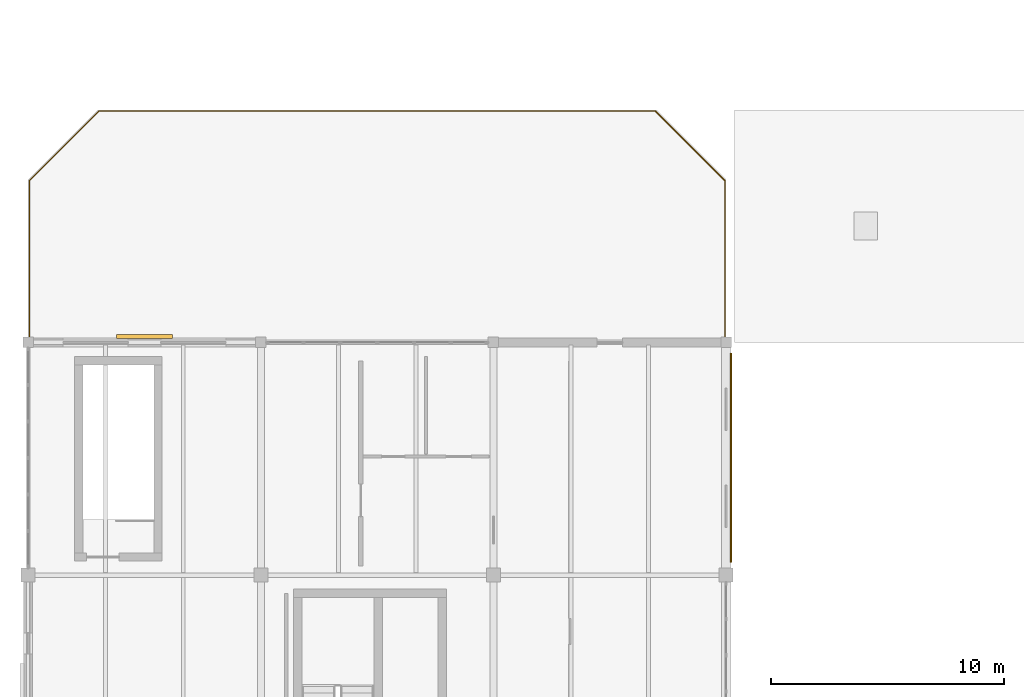
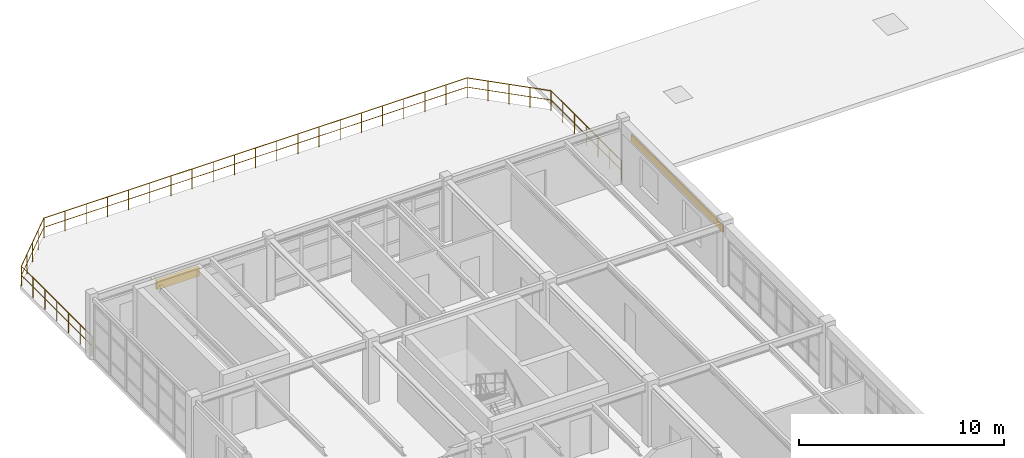
# One storey, part 23 of 23: 1 covering, 1 railing, 1 shading device.
"""IFC4 building model written with IfcOpenShell, lengths in metres."""

from ifc_helpers import new_model, si_unit, direction, frame, origin, origin_2d, place, context, subcontext, project, spatial, polyline, rectangle, circle, outline, extrude, material, layer, layer_set, type_object, element, save


model = new_model("IFC4")

# Units and contexts
model_context = context("Model", 3, precision=1e-05, world=origin(), true_north=direction((0.0, 1.0)))
body_context = subcontext(model_context, "Body", "Model", "MODEL_VIEW")
ifc_project = project(units=[si_unit("LENGTHUNIT", "METRE"), si_unit("AREAUNIT", "SQUARE_METRE"), si_unit("VOLUMEUNIT", "CUBIC_METRE"), si_unit("PLANEANGLEUNIT", "RADIAN"), si_unit("MASSUNIT", "GRAM", prefix="KILO"), si_unit("THERMODYNAMICTEMPERATUREUNIT", "KELVIN"), si_unit("POWERUNIT", "WATT")], contexts=[model_context])

# Site, building, storey
site_placement = place(None, origin())
site = spatial("IfcSite", under=ifc_project, at=site_placement, CompositionType="ELEMENT")
building_placement = place(site_placement, origin())
building = spatial("IfcBuilding", under=site, at=building_placement, Name="Korenveer Ferry Terminal", CompositionType="ELEMENT")
storey_placement = place(building_placement, frame((0.0, 0.0, 14.39990234375)))
storey = spatial("IfcBuildingStorey", under=building, at=storey_placement, Name="L03", CompositionType="ELEMENT", Elevation=14.39990234375)

# Covering
ifc_material_1 = material(Name="Carved Belgian bluestone spandrel cladding", Category="masonry")
ifc_layer = layer(ifc_material_1, 0.050048828125)
ifc_layer_set = layer_set([ifc_layer], Name="Carved Belgian bluestone spandrel cladding")
covering_type = type_object("IfcCoveringType", Name="ENV-COV-STONE", PredefinedType="CLADDING", material=ifc_layer_set)
covering_placement = place(storey_placement, frame((0.0, 0.0, 2.580078125)))
element("IfcCovering", 1, at=covering_placement, inside=storey, type_object=covering_type, Name="Belgian bluestone spandrel band 25", PredefinedType="CLADDING", context=body_context, shape_type="SweptSolid", body=[
    extrude(outline(polyline([(30.18505859375, 60.550048828125), (30.235107421875, 60.550048828125), (30.235107421875, 69.52490234375), (30.18505859375, 69.52490234375), (30.18505859375, 60.550048828125)])), origin(), (0.0, 0.0, 1.0), 0.419921875),
])

# Railing
ifc_material_2 = material(Name="Galvanised steel terrace guardrail", Category="steel")
railing_type = type_object("IfcRailingType", Name="ENV-RL-GRD120", PredefinedType="GUARDRAIL", material=ifc_material_2)
railing_placement = place(storey_placement, frame((29.949951171875, 70.050048828125, 0.0)))
element("IfcRailing", 2, at=railing_placement, inside=storey, type_object=railing_type, Name="Outdoor terrace balustrade 7", PredefinedType="GUARDRAIL", context=body_context, shape_type="SweptSolid", body=[
    extrude(circle(Radius=0.02392578125, at=origin_2d()), frame((0.0, 0.0, 1.17578125), z_axis=(0.0, 1.0, 0.0), x_axis=(-1.0, 0.0, 0.0)), (0.0, 0.0, 1.0), 6.89990234375),
    extrude(circle(Radius=0.01806640625, at=origin_2d()), frame((0.0, 0.0, 0.6240234375), z_axis=(0.0, 1.0, 0.0), x_axis=(-1.0, 0.0, 0.0)), (0.0, 0.0, 1.0), 6.89990234375),
    extrude(circle(Radius=0.02392578125, at=origin_2d()), frame((0.0, 6.89990234375, 1.17578125), z_axis=(-0.707106781187, 0.707106781187, 0.0), x_axis=(-0.707106781187, -0.707106781187, 0.0)), (0.0, 0.0, 1.0), 4.24267578125),
    extrude(circle(Radius=0.01806640625, at=origin_2d()), frame((0.0, 6.89990234375, 0.6240234375), z_axis=(-0.707106781187, 0.707106781187, 0.0), x_axis=(-0.707106781187, -0.707106781187, 0.0)), (0.0, 0.0, 1.0), 4.24267578125),
    extrude(circle(Radius=0.02392578125, at=origin_2d()), frame((-3.0, 9.89990234375, 1.17578125), z_axis=(-1.0, 0.0, 0.0), x_axis=(0.0, -1.0, 0.0)), (0.0, 0.0, 1.0), 23.89990234375),
    extrude(circle(Radius=0.01806640625, at=origin_2d()), frame((-3.0, 9.89990234375, 0.6240234375), z_axis=(-1.0, 0.0, 0.0), x_axis=(0.0, -1.0, 0.0)), (0.0, 0.0, 1.0), 23.89990234375),
    extrude(circle(Radius=0.02392578125, at=origin_2d()), frame((-26.89990234375, 9.89990234375, 1.17578125), z_axis=(-0.707106781187, -0.707106781187, 0.0), x_axis=(0.707106781187, -0.707106781187, 0.0)), (0.0, 0.0, 1.0), 4.24267578125),
    extrude(circle(Radius=0.01806640625, at=origin_2d()), frame((-26.89990234375, 9.89990234375, 0.6240234375), z_axis=(-0.707106781187, -0.707106781187, 0.0), x_axis=(0.707106781187, -0.707106781187, 0.0)), (0.0, 0.0, 1.0), 4.24267578125),
    extrude(circle(Radius=0.02392578125, at=origin_2d()), frame((-29.89990234375, 6.89990234375, 1.17578125), z_axis=(0.0, -1.0, 0.0), x_axis=(1.0, 0.0, 0.0)), (0.0, 0.0, 1.0), 6.89990234375),
    extrude(circle(Radius=0.01806640625, at=origin_2d()), frame((-29.89990234375, 6.89990234375, 0.6240234375), z_axis=(0.0, -1.0, 0.0), x_axis=(1.0, 0.0, 0.0)), (0.0, 0.0, 1.0), 6.89990234375),
    extrude(circle(Radius=0.02099609375, at=origin_2d()), origin(), (0.0, 0.0, 1.0), 1.15185546875),
    extrude(circle(Radius=0.02099609375, at=origin_2d()), frame((0.0, 1.14990234375, 0.0)), (0.0, 0.0, 1.0), 1.15185546875),
    extrude(circle(Radius=0.02099609375, at=origin_2d()), frame((0.0, 2.300048828125, 0.0)), (0.0, 0.0, 1.0), 1.15185546875),
    extrude(circle(Radius=0.02099609375, at=origin_2d()), frame((0.0, 3.449951171875, 0.0)), (0.0, 0.0, 1.0), 1.15185546875),
    extrude(circle(Radius=0.02099609375, at=origin_2d()), frame((0.0, 4.599853515625, 0.0)), (0.0, 0.0, 1.0), 1.15185546875),
    extrude(circle(Radius=0.02099609375, at=origin_2d()), frame((0.0, 5.75, 0.0)), (0.0, 0.0, 1.0), 1.15185546875),
    extrude(circle(Radius=0.02099609375, at=origin_2d()), frame((0.0, 6.89990234375, 0.0)), (0.0, 0.0, 1.0), 1.15185546875),
    extrude(circle(Radius=0.02099609375, at=origin_2d()), frame((-0.75, 7.64990234375, 0.0)), (0.0, 0.0, 1.0), 1.15185546875),
    extrude(circle(Radius=0.02099609375, at=origin_2d()), frame((-1.5, 8.39990234375, 0.0)), (0.0, 0.0, 1.0), 1.15185546875),
    extrude(circle(Radius=0.02099609375, at=origin_2d()), frame((-2.25, 9.14990234375, 0.0)), (0.0, 0.0, 1.0), 1.15185546875),
    extrude(circle(Radius=0.02099609375, at=origin_2d()), frame((-3.0, 9.89990234375, 0.0)), (0.0, 0.0, 1.0), 1.15185546875),
    extrude(circle(Radius=0.02099609375, at=origin_2d()), frame((-4.195068359375, 9.89990234375, 0.0)), (0.0, 0.0, 1.0), 1.15185546875),
    extrude(circle(Radius=0.02099609375, at=origin_2d()), frame((-5.389892578125, 9.89990234375, 0.0)), (0.0, 0.0, 1.0), 1.15185546875),
    extrude(circle(Radius=0.02099609375, at=origin_2d()), frame((-6.5849609375, 9.89990234375, 0.0)), (0.0, 0.0, 1.0), 1.15185546875),
    extrude(circle(Radius=0.02099609375, at=origin_2d()), frame((-7.780029296875, 9.89990234375, 0.0)), (0.0, 0.0, 1.0), 1.15185546875),
    extrude(circle(Radius=0.02099609375, at=origin_2d()), frame((-8.97509765625, 9.89990234375, 0.0)), (0.0, 0.0, 1.0), 1.15185546875),
    extrude(circle(Radius=0.02099609375, at=origin_2d()), frame((-10.169921875, 9.89990234375, 0.0)), (0.0, 0.0, 1.0), 1.15185546875),
    extrude(circle(Radius=0.02099609375, at=origin_2d()), frame((-11.364990234375, 9.89990234375, 0.0)), (0.0, 0.0, 1.0), 1.15185546875),
    extrude(circle(Radius=0.02099609375, at=origin_2d()), frame((-12.56005859375, 9.89990234375, 0.0)), (0.0, 0.0, 1.0), 1.15185546875),
    extrude(circle(Radius=0.02099609375, at=origin_2d()), frame((-13.7548828125, 9.89990234375, 0.0)), (0.0, 0.0, 1.0), 1.15185546875),
    extrude(circle(Radius=0.02099609375, at=origin_2d()), frame((-14.949951171875, 9.89990234375, 0.0)), (0.0, 0.0, 1.0), 1.15185546875),
    extrude(circle(Radius=0.02099609375, at=origin_2d()), frame((-16.14501953125, 9.89990234375, 0.0)), (0.0, 0.0, 1.0), 1.15185546875),
    extrude(circle(Radius=0.02099609375, at=origin_2d()), frame((-17.33984375, 9.89990234375, 0.0)), (0.0, 0.0, 1.0), 1.15185546875),
    extrude(circle(Radius=0.02099609375, at=origin_2d()), frame((-18.534912109375, 9.89990234375, 0.0)), (0.0, 0.0, 1.0), 1.15185546875),
    extrude(circle(Radius=0.02099609375, at=origin_2d()), frame((-19.72998046875, 9.89990234375, 0.0)), (0.0, 0.0, 1.0), 1.15185546875),
    extrude(circle(Radius=0.02099609375, at=origin_2d()), frame((-20.9248046875, 9.89990234375, 0.0)), (0.0, 0.0, 1.0), 1.15185546875),
    extrude(circle(Radius=0.02099609375, at=origin_2d()), frame((-22.119873046875, 9.89990234375, 0.0)), (0.0, 0.0, 1.0), 1.15185546875),
    extrude(circle(Radius=0.02099609375, at=origin_2d()), frame((-23.31494140625, 9.89990234375, 0.0)), (0.0, 0.0, 1.0), 1.15185546875),
    extrude(circle(Radius=0.02099609375, at=origin_2d()), frame((-24.510009765625, 9.89990234375, 0.0)), (0.0, 0.0, 1.0), 1.15185546875),
    extrude(circle(Radius=0.02099609375, at=origin_2d()), frame((-25.704833984375, 9.89990234375, 0.0)), (0.0, 0.0, 1.0), 1.15185546875),
    extrude(circle(Radius=0.02099609375, at=origin_2d()), frame((-26.89990234375, 9.89990234375, 0.0)), (0.0, 0.0, 1.0), 1.15185546875),
    extrude(circle(Radius=0.02099609375, at=origin_2d()), frame((-27.64990234375, 9.14990234375, 0.0)), (0.0, 0.0, 1.0), 1.15185546875),
    extrude(circle(Radius=0.02099609375, at=origin_2d()), frame((-28.39990234375, 8.39990234375, 0.0)), (0.0, 0.0, 1.0), 1.15185546875),
    extrude(circle(Radius=0.02099609375, at=origin_2d()), frame((-29.14990234375, 7.64990234375, 0.0)), (0.0, 0.0, 1.0), 1.15185546875),
    extrude(circle(Radius=0.02099609375, at=origin_2d()), frame((-29.89990234375, 6.89990234375, 0.0)), (0.0, 0.0, 1.0), 1.15185546875),
    extrude(circle(Radius=0.02099609375, at=origin_2d()), frame((-29.89990234375, 5.75, 0.0)), (0.0, 0.0, 1.0), 1.15185546875),
    extrude(circle(Radius=0.02099609375, at=origin_2d()), frame((-29.89990234375, 4.599853515625, 0.0)), (0.0, 0.0, 1.0), 1.15185546875),
    extrude(circle(Radius=0.02099609375, at=origin_2d()), frame((-29.89990234375, 3.449951171875, 0.0)), (0.0, 0.0, 1.0), 1.15185546875),
    extrude(circle(Radius=0.02099609375, at=origin_2d()), frame((-29.89990234375, 2.300048828125, 0.0)), (0.0, 0.0, 1.0), 1.15185546875),
    extrude(circle(Radius=0.02099609375, at=origin_2d()), frame((-29.89990234375, 1.14990234375, 0.0)), (0.0, 0.0, 1.0), 1.15185546875),
    extrude(circle(Radius=0.02099609375, at=origin_2d()), frame((-29.89990234375, 0.0, 0.0)), (0.0, 0.0, 1.0), 1.15185546875),
])

# Shading device
ifc_material_3 = material(Name="Anodised bronze aluminium acoustic louvre", Category="aluminium")
shading_device_type = type_object("IfcShadingDeviceType", Name="ENV-SHD-LVR", PredefinedType="SHUTTER", material=ifc_material_3)
shading_device_placement = place(storey_placement, frame((5.0, 70.260009765625, 2.550048828125), z_axis=(0.0, 0.0, 1.0), x_axis=(1.0, 0.0, 0.0)))
element("IfcShadingDevice", 3, at=shading_device_placement, inside=storey, type_object=shading_device_type, Name="Plant facade intake louvre 6", PredefinedType="SHUTTER", context=body_context, shape_type="SweptSolid", body=[
    extrude(rectangle(XDim=2.39990234375, YDim=0.179931640625, at=origin_2d()), origin(), (0.0, 0.0, 1.0), 0.5),
])

save(model, "model.ifc")
